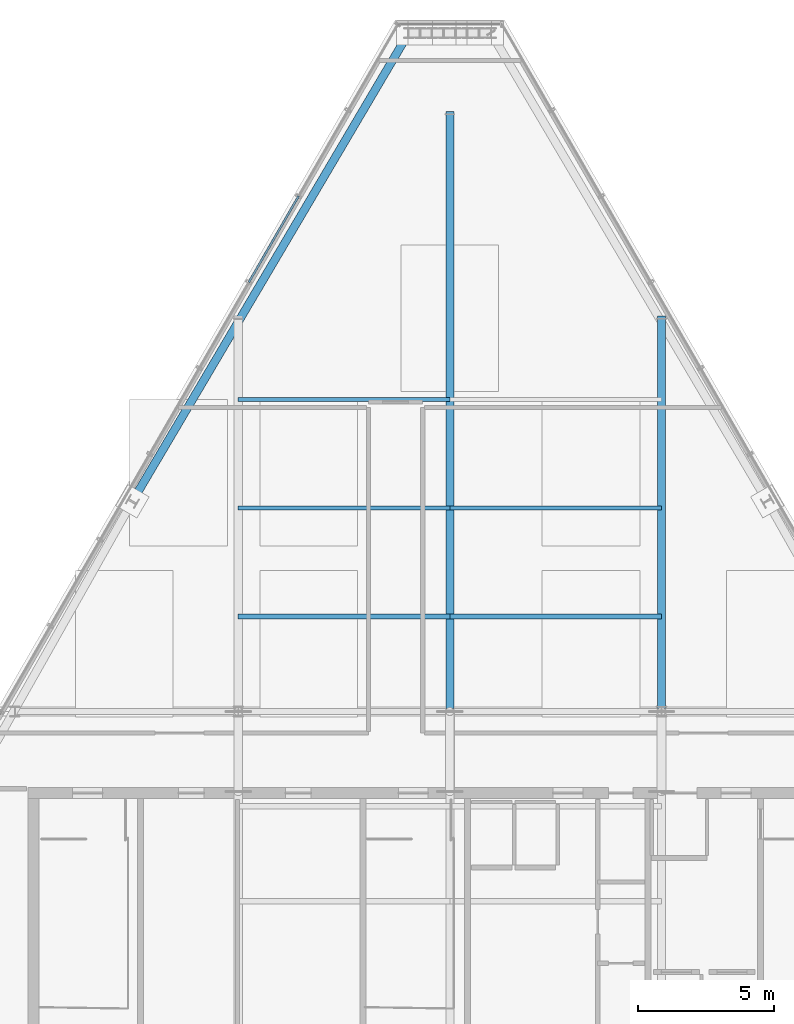
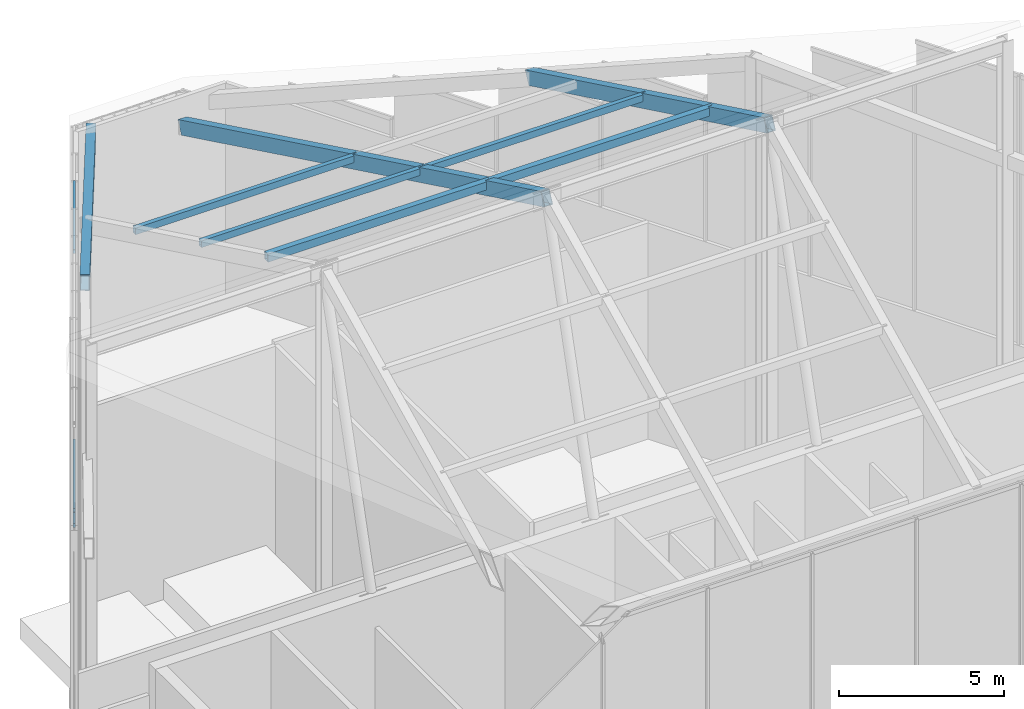
# One storey, part 20 of 36: 11 members, 1 element without a shape of its own.
"""IFC4 building model written with IfcOpenShell, lengths in metres."""

from ifc_helpers import new_model, si_unit, direction, frame, origin, origin_2d, place, context, subcontext, project, spatial, hollow_rectangle, extrude, material, layer, layer_set, material_profile, profile_set, type_object, element, aggregate, save


model = new_model("IFC4")

# Units and contexts
model_context = context("Model", 3, precision=1e-05, world=origin(), true_north=direction((0.0, 1.0)))
body_context = subcontext(model_context, "Body", "Model", "MODEL_VIEW")
ifc_project = project(units=[si_unit("LENGTHUNIT", "METRE"), si_unit("AREAUNIT", "SQUARE_METRE"), si_unit("VOLUMEUNIT", "CUBIC_METRE"), si_unit("PLANEANGLEUNIT", "RADIAN"), si_unit("MASSUNIT", "GRAM", prefix="KILO")], contexts=[model_context])

# Site, building, storey
site_placement = place(None, origin())
site = spatial("IfcSite", under=ifc_project, at=site_placement, CompositionType="ELEMENT")
building_placement = place(site_placement, origin())
building = spatial("IfcBuilding", under=site, at=building_placement, Name="Ndaravel Arena Tower", CompositionType="ELEMENT")
storey_placement = place(building_placement, frame((0.0, 0.0, 308.10009765625)))
storey = spatial("IfcBuildingStorey", under=building, at=storey_placement, Name="Roof Crown", CompositionType="ELEMENT", Elevation=308.10009765625)

# Members
ifc_material_1 = material(Name="Steel S355", Category="steel")
ifc_material_profile_1 = material_profile(ifc_material_1, hollow_rectangle(XDim=0.199951171875, YDim=0.300048828125, WallThickness=0.012451171875, at=origin_2d()), Name="RHS 300x200x12.5")
ifc_profile_set_1 = profile_set([ifc_material_profile_1], Name="Steel S355")
member_type_1 = type_object("IfcMemberType", Name="MEM-CRN-PURLIN1", PredefinedType="PURLIN", material=ifc_profile_set_1)
for number, where, z_axis, x_axis, name in (
    (1, (34.199951171875, 21.5, 17.593505859375), (1.0, 0.0, 0.0), (0.0, 1.0, 0.0), "Crown Roof Purlin West CRP-A3"),
    (2, (42.0, 21.5, 17.593505859375), (1.0, 0.0, 0.0), (0.0, 1.0, 0.0), "Crown Roof Purlin East CRP-B3"),
):
    element("IfcMember", number, at=place(storey_placement, frame(where, z_axis=z_axis, x_axis=x_axis)), inside=storey, type_object=member_type_1, Name=name, PredefinedType="PURLIN", context=body_context, shape_type="SweptSolid", body=[
        extrude(hollow_rectangle(XDim=0.199951171875, YDim=0.300048828125, WallThickness=0.012451171875, at=origin_2d()), origin(), (0.0, 0.0, 1.0), 7.800048828125),
    ])
ifc_material_2 = material(Name="Steel S355", Category="steel")
ifc_material_profile_2 = material_profile(ifc_material_2, hollow_rectangle(XDim=0.14990234375, YDim=0.25, WallThickness=0.010009765625, at=origin_2d()), Name="RHS 250x150x10")
ifc_profile_set_2 = profile_set([ifc_material_profile_2], Name="Steel S355")
member_type_2 = type_object("IfcMemberType", Name="MEM-CRN-PURLIN2", PredefinedType="PURLIN", material=ifc_profile_set_2)
for number, where, z_axis, x_axis, name in (
    (3, (34.199951171875, 25.5, 15.66748046875), (1.0, 0.0, 0.0), (0.0, 1.0, 0.0), "Crown Roof Purlin West CRP-A4"),
    (4, (42.0, 25.5, 15.66748046875), (1.0, 0.0, 0.0), (0.0, 1.0, 0.0), "Crown Roof Purlin East CRP-B4"),
    (5, (34.199951171875, 29.5, 13.716552734375), (1.0, 0.0, 0.0), (0.0, 1.0, 0.0), "Crown Roof Purlin West CRP-A5"),
):
    element("IfcMember", number, at=place(storey_placement, frame(where, z_axis=z_axis, x_axis=x_axis)), inside=storey, type_object=member_type_2, Name=name, PredefinedType="PURLIN", context=body_context, shape_type="SweptSolid", body=[
        extrude(hollow_rectangle(XDim=0.14990234375, YDim=0.25, WallThickness=0.010009765625, at=origin_2d()), origin(), (0.0, 0.0, 1.0), 7.800048828125),
    ])
ifc_material_3 = material(Name="Steel S355", Category="steel")
ifc_material_profile_3 = material_profile(ifc_material_3, hollow_rectangle(XDim=0.300048828125, YDim=0.5, WallThickness=0.02001953125, at=origin_2d()), Name="RHS 500x300x20")
ifc_profile_set_3 = profile_set([ifc_material_profile_3], Name="Steel S355")
member_type_3 = type_object("IfcMemberType", Name="MEM-CRN-RAFTER", PredefinedType="RAFTER", material=ifc_profile_set_3)
member_1_placement = place(storey_placement, frame((40.481689453125, 43.00537109375, 7.00439453125), z_axis=(-0.468436415705, -0.794078630407, 0.38730666554), x_axis=(0.861302473687, -0.508092559304, 0.0)))
element("IfcMember", 6, at=member_1_placement, inside=storey, type_object=member_type_3, Name="Crown Eaves Ring Member CER-18", PredefinedType="RAFTER", context=body_context, shape_type="SweptSolid", body=[
    extrude(hollow_rectangle(XDim=0.300048828125, YDim=0.5, WallThickness=0.02001953125, at=origin_2d()), origin(), (0.0, 0.0, 1.0), 21.73583984375),
])
member_2_placement = place(storey_placement, frame((42.0, 18.0, 19.160400390625), z_axis=(0.0, 0.89960106587, -0.436712631242), x_axis=(-1.0, 0.0, 0.0)))
element("IfcMember", 7, at=member_2_placement, inside=storey, type_object=member_type_3, Name="Crown North Sloped Rafter CNR-2", PredefinedType="RAFTER", context=body_context, shape_type="SweptSolid", body=[
    extrude(hollow_rectangle(XDim=0.300048828125, YDim=0.5, WallThickness=0.02001953125, at=origin_2d()), origin(), (0.0, 0.0, 1.0), 24.455322265625),
])
member_3_placement = place(storey_placement, frame((49.800048828125, 18.0, 19.160400390625), z_axis=(0.0, 0.900023143116, -0.435842106566), x_axis=(-1.0, 0.0, 0.0)))
element("IfcMember", 8, at=member_3_placement, inside=storey, type_object=member_type_3, Name="Crown North Sloped Rafter CNR-3", PredefinedType="RAFTER", context=body_context, shape_type="SweptSolid", body=[
    extrude(hollow_rectangle(XDim=0.300048828125, YDim=0.5, WallThickness=0.02001953125, at=origin_2d()), origin(), (0.0, 0.0, 1.0), 16.067138671875),
])

# Curtain wall, members
ifc_material_4 = material(Name="Aluminium", Category="aluminium")
ifc_layer = layer(ifc_material_4, 0.179931640625)
ifc_layer_set = layer_set([ifc_layer], Name="Aluminium")
curtain_wall_type = type_object("IfcCurtainWallType", Name="CW-SYS-06", PredefinedType="NOTDEFINED", material=ifc_layer_set)
curtain_wall_placement = place(storey_placement, origin())
curtain_wall = element("IfcCurtainWall", 9, at=curtain_wall_placement, inside=storey, type_object=curtain_wall_type, Name="Roof Crown Sloped Crown Lantern Curtain Wall CW-CROWN-E05-S03", PredefinedType="NOTDEFINED")
ifc_material_5 = material(Name="Aluminium", Category="aluminium")
ifc_material_profile_4 = material_profile(ifc_material_5, hollow_rectangle(XDim=0.074951171875, YDim=0.14990234375, WallThickness=0.00390625, at=origin_2d()), Name="CW TRANSOM 75x150x4")
ifc_profile_set_4 = profile_set([ifc_material_profile_4], Name="Aluminium")
member_type_4 = type_object("IfcMemberType", Name="MEM-CW-TRN150", PredefinedType="USERDEFINED", material=ifc_profile_set_4)
member_4_placement = place(storey_placement, frame((36.4228515625, 36.99072265625, 0.039794921875), z_axis=(-0.500001750229, -0.866024393287, 0.0), x_axis=(0.866024393287, -0.500001750229, 0.0)))
member_4 = element("IfcMember", 10, at=member_4_placement, type_object=member_type_4, Name="CW-CROWN-E05-S03 Transom 01", ObjectType="TRANSOM", PredefinedType="USERDEFINED", context=body_context, shape_type="SweptSolid", body=[
    extrude(hollow_rectangle(XDim=0.074951171875, YDim=0.14990234375, WallThickness=0.00390625, at=origin_2d()), origin(), (0.0, 0.0, 1.0), 3.6572265625),
])
member_5_placement = place(storey_placement, frame((36.4228515625, 36.99072265625, 0.599853515625), z_axis=(-0.500001750229, -0.866024393287, 0.0), x_axis=(0.866024393287, -0.500001750229, 0.0)))
member_5 = element("IfcMember", 11, at=member_5_placement, type_object=member_type_4, Name="CW-CROWN-E05-S03 Transom 02", ObjectType="TRANSOM", PredefinedType="USERDEFINED", context=body_context, shape_type="SweptSolid", body=[
    extrude(hollow_rectangle(XDim=0.074951171875, YDim=0.14990234375, WallThickness=0.00390625, at=origin_2d()), origin(), (0.0, 0.0, 1.0), 3.6572265625),
])
member_6_placement = place(storey_placement, frame((36.4228515625, 36.99072265625, 10.168212890625), z_axis=(-0.500001750229, -0.866024393287, 0.0), x_axis=(0.866024393287, -0.500001750229, 0.0)))
member_6 = element("IfcMember", 12, at=member_6_placement, type_object=member_type_4, Name="CW-CROWN-E05-S03 Transom 03", ObjectType="TRANSOM", PredefinedType="USERDEFINED", context=body_context, shape_type="SweptSolid", body=[
    extrude(hollow_rectangle(XDim=0.074951171875, YDim=0.14990234375, WallThickness=0.00390625, at=origin_2d()), origin(), (0.0, 0.0, 1.0), 3.6572265625),
])
aggregate(curtain_wall, [member_4, member_5, member_6])

save(model, "model.ifc")
